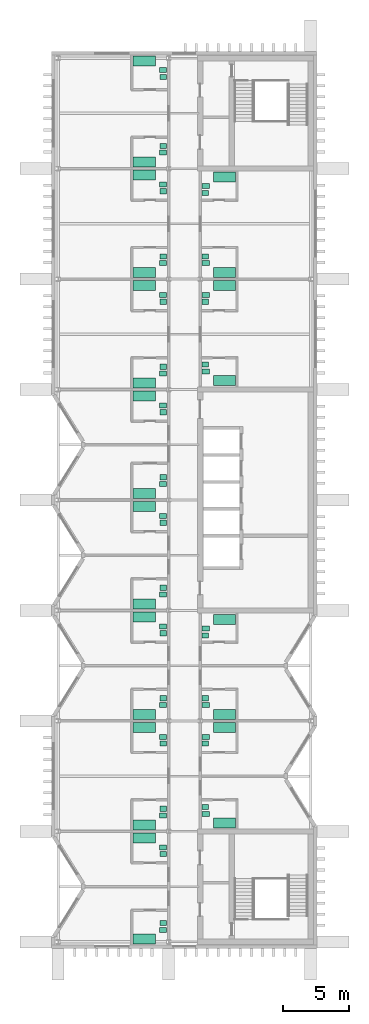
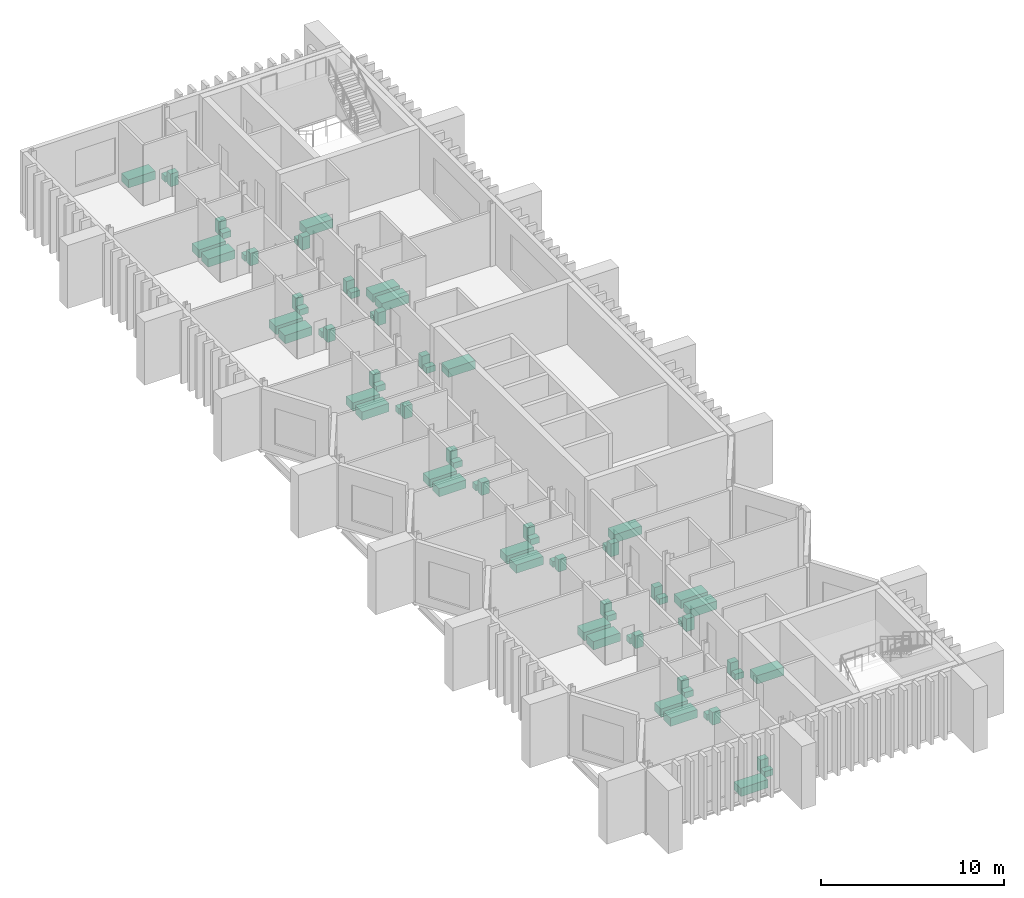
# One storey, part 10 of 10: 72 sanitary terminals.
"""IFC4 building model written with IfcOpenShell, lengths in metres."""

from ifc_helpers import new_model, si_unit, direction, frame, origin, origin_2d, place, context, subcontext, project, spatial, rectangle, extrude, material, type_object, element, save


model = new_model("IFC4")

# Units and contexts
model_context = context("Model", 3, precision=1e-05, world=origin(), true_north=direction((0.0, 1.0)))
body_context = subcontext(model_context, "Body", "Model", "MODEL_VIEW")
ifc_project = project(units=[si_unit("LENGTHUNIT", "METRE"), si_unit("AREAUNIT", "SQUARE_METRE"), si_unit("VOLUMEUNIT", "CUBIC_METRE"), si_unit("PLANEANGLEUNIT", "RADIAN"), si_unit("MASSUNIT", "GRAM", prefix="KILO")], contexts=[model_context])

# Site, building, storey
site_placement = place(None, origin())
site = spatial("IfcSite", under=ifc_project, at=site_placement, CompositionType="ELEMENT")
building_placement = place(site_placement, origin())
building = spatial("IfcBuilding", under=site, at=building_placement, Name="Cresset Court Congress Hotel", CompositionType="ELEMENT")
storey_placement = place(building_placement, frame((0.0, 0.0, 56.39990234375)))
storey = spatial("IfcBuildingStorey", under=building, at=storey_placement, Name="L13", CompositionType="ELEMENT", Elevation=56.39990234375)

# Sanitary terminals
ifc_material_1 = material(Name="Acrylic")
sanitary_terminal_type_1 = type_object("IfcSanitaryTerminalType", Name="Bath 1700x750", PredefinedType="BATH", material=ifc_material_1)
for number, where, z_axis, x_axis, name in (
    (1, (163.75, 0.205078125, 0.0), (0.0, 0.0, 1.0), (1.0, 0.0, 0.0), "Bath 1700x750 1301"),
    (2, (163.75, 7.89990234375, 0.0), (0.0, 0.0, 1.0), (1.0, 0.0, 0.0), "Bath 1700x750 1302"),
    (3, (163.75, 8.89990234375, 0.0), (0.0, 0.0, 1.0), (1.0, 0.0, 0.0), "Bath 1700x750 1303"),
    (4, (163.75, 16.300048828125, 0.0), (0.0, 0.0, 1.0), (1.0, 0.0, 0.0), "Bath 1700x750 1304"),
    (5, (163.75, 17.300048828125, 0.0), (0.0, 0.0, 1.0), (1.0, 0.0, 0.0), "Bath 1700x750 1305"),
    (6, (163.75, 24.699951171875, 0.0), (0.0, 0.0, 1.0), (1.0, 0.0, 0.0), "Bath 1700x750 1306"),
    (7, (163.75, 25.699951171875, 0.0), (0.0, 0.0, 1.0), (1.0, 0.0, 0.0), "Bath 1700x750 1307"),
    (8, (163.75, 33.10009765625, 0.0), (0.0, 0.0, 1.0), (1.0, 0.0, 0.0), "Bath 1700x750 1308"),
    (9, (163.75, 34.10009765625, 0.0), (0.0, 0.0, 1.0), (1.0, 0.0, 0.0), "Bath 1700x750 1309"),
    (10, (163.75, 41.5, 0.0), (0.0, 0.0, 1.0), (1.0, 0.0, 0.0), "Bath 1700x750 1310"),
    (11, (163.75, 42.5, 0.0), (0.0, 0.0, 1.0), (1.0, 0.0, 0.0), "Bath 1700x750 1311"),
    (12, (163.75, 49.89990234375, 0.0), (0.0, 0.0, 1.0), (1.0, 0.0, 0.0), "Bath 1700x750 1312"),
    (13, (163.75, 50.89990234375, 0.0), (0.0, 0.0, 1.0), (1.0, 0.0, 0.0), "Bath 1700x750 1313"),
    (14, (163.75, 58.300048828125, 0.0), (0.0, 0.0, 1.0), (1.0, 0.0, 0.0), "Bath 1700x750 1314"),
    (15, (163.75, 59.300048828125, 0.0), (0.0, 0.0, 1.0), (1.0, 0.0, 0.0), "Bath 1700x750 1315"),
    (16, (163.75, 66.9951171875, 0.0), (0.0, 0.0, 1.0), (1.0, 0.0, 0.0), "Bath 1700x750 1316"),
    (17, (169.85009765625, 9.02490234375, 0.0), (0.0, 0.0, 1.0), (1.0, 0.0, 0.0), "Bath 1700x750 1317"),
    (18, (169.85009765625, 16.300048828125, 0.0), (0.0, 0.0, 1.0), (1.0, 0.0, 0.0), "Bath 1700x750 1318"),
    (19, (169.85009765625, 17.300048828125, 0.0), (0.0, 0.0, 1.0), (1.0, 0.0, 0.0), "Bath 1700x750 1319"),
    (20, (169.85009765625, 24.52490234375, 0.0), (0.0, 0.0, 1.0), (1.0, 0.0, 0.0), "Bath 1700x750 1320"),
    (21, (169.85009765625, 42.675048828125, 0.0), (0.0, 0.0, 1.0), (1.0, 0.0, 0.0), "Bath 1700x750 1321"),
    (22, (169.85009765625, 49.89990234375, 0.0), (0.0, 0.0, 1.0), (1.0, 0.0, 0.0), "Bath 1700x750 1322"),
    (23, (169.85009765625, 50.89990234375, 0.0), (0.0, 0.0, 1.0), (1.0, 0.0, 0.0), "Bath 1700x750 1323"),
    (24, (169.85009765625, 58.175048828125, 0.0), (0.0, 0.0, 1.0), (1.0, 0.0, 0.0), "Bath 1700x750 1324"),
):
    element("IfcSanitaryTerminal", number, at=place(storey_placement, frame(where, z_axis=z_axis, x_axis=x_axis)), inside=storey, type_object=sanitary_terminal_type_1, Name=name, PredefinedType="BATH", context=body_context, shape_type="SweptSolid", body=[
        extrude(rectangle(XDim=1.699951171875, YDim=0.75, at=origin_2d()), origin(), (0.0, 0.0, 1.0), 0.550048828125),
    ])
ifc_material_2 = material(Name="Vitreous china")
sanitary_terminal_type_2 = type_object("IfcSanitaryTerminalType", Name="Toilet pan 550x380", PredefinedType="TOILETPAN", material=ifc_material_2)
for number, where, z_axis, x_axis, name in (
    (25, (165.175048828125, 0.919921875, 0.000244140625), (0.0, 0.0, 1.0), (1.0, 0.0, 0.0), "Toilet pan 550x380 1301"),
    (26, (165.175048828125, 7.18505859375, 0.000244140625), (0.0, 0.0, 1.0), (1.0, 0.0, 0.0), "Toilet pan 550x380 1302"),
    (27, (165.175048828125, 9.614990234375, 0.000244140625), (0.0, 0.0, 1.0), (1.0, 0.0, 0.0), "Toilet pan 550x380 1303"),
    (28, (165.175048828125, 15.5849609375, 0.000244140625), (0.0, 0.0, 1.0), (1.0, 0.0, 0.0), "Toilet pan 550x380 1304"),
    (29, (165.175048828125, 18.014892578125, 0.000244140625), (0.0, 0.0, 1.0), (1.0, 0.0, 0.0), "Toilet pan 550x380 1305"),
    (30, (165.175048828125, 23.985107421875, 0.000244140625), (0.0, 0.0, 1.0), (1.0, 0.0, 0.0), "Toilet pan 550x380 1306"),
    (31, (165.175048828125, 26.4150390625, 0.000244140625), (0.0, 0.0, 1.0), (1.0, 0.0, 0.0), "Toilet pan 550x380 1307"),
    (32, (165.175048828125, 32.385009765625, 0.000244140625), (0.0, 0.0, 1.0), (1.0, 0.0, 0.0), "Toilet pan 550x380 1308"),
    (33, (165.175048828125, 34.81494140625, 0.000244140625), (0.0, 0.0, 1.0), (1.0, 0.0, 0.0), "Toilet pan 550x380 1309"),
    (34, (165.175048828125, 40.784912109375, 0.000244140625), (0.0, 0.0, 1.0), (1.0, 0.0, 0.0), "Toilet pan 550x380 1310"),
    (35, (165.175048828125, 43.215087890625, 0.000244140625), (0.0, 0.0, 1.0), (1.0, 0.0, 0.0), "Toilet pan 550x380 1311"),
    (36, (165.175048828125, 49.18505859375, 0.000244140625), (0.0, 0.0, 1.0), (1.0, 0.0, 0.0), "Toilet pan 550x380 1312"),
    (37, (165.175048828125, 51.614990234375, 0.000244140625), (0.0, 0.0, 1.0), (1.0, 0.0, 0.0), "Toilet pan 550x380 1313"),
    (38, (165.175048828125, 57.5849609375, 0.000244140625), (0.0, 0.0, 1.0), (1.0, 0.0, 0.0), "Toilet pan 550x380 1314"),
    (39, (165.175048828125, 60.014892578125, 0.000244140625), (0.0, 0.0, 1.0), (1.0, 0.0, 0.0), "Toilet pan 550x380 1315"),
    (40, (165.175048828125, 66.280029296875, 0.000244140625), (0.0, 0.0, 1.0), (1.0, 0.0, 0.0), "Toilet pan 550x380 1316"),
    (41, (168.425048828125, 9.739990234375, 0.000244140625), (0.0, 0.0, 1.0), (1.0, 0.0, 0.0), "Toilet pan 550x380 1317"),
    (42, (168.425048828125, 15.5849609375, 0.000244140625), (0.0, 0.0, 1.0), (1.0, 0.0, 0.0), "Toilet pan 550x380 1318"),
    (43, (168.425048828125, 18.014892578125, 0.000244140625), (0.0, 0.0, 1.0), (1.0, 0.0, 0.0), "Toilet pan 550x380 1319"),
    (44, (168.425048828125, 23.81005859375, 0.000244140625), (0.0, 0.0, 1.0), (1.0, 0.0, 0.0), "Toilet pan 550x380 1320"),
    (45, (168.425048828125, 43.389892578125, 0.000244140625), (0.0, 0.0, 1.0), (1.0, 0.0, 0.0), "Toilet pan 550x380 1321"),
    (46, (168.425048828125, 49.18505859375, 0.000244140625), (0.0, 0.0, 1.0), (1.0, 0.0, 0.0), "Toilet pan 550x380 1322"),
    (47, (168.425048828125, 51.614990234375, 0.000244140625), (0.0, 0.0, 1.0), (1.0, 0.0, 0.0), "Toilet pan 550x380 1323"),
    (48, (168.425048828125, 57.4599609375, 0.000244140625), (0.0, 0.0, 1.0), (1.0, 0.0, 0.0), "Toilet pan 550x380 1324"),
):
    element("IfcSanitaryTerminal", number, at=place(storey_placement, frame(where, z_axis=z_axis, x_axis=x_axis)), inside=storey, type_object=sanitary_terminal_type_2, Name=name, PredefinedType="TOILETPAN", context=body_context, shape_type="SweptSolid", body=[
        extrude(rectangle(XDim=0.550048828125, YDim=0.3798828125, at=origin_2d()), origin(), (0.0, 0.0, 1.0), 0.39990234375),
    ])
ifc_material_3 = material(Name="Vitreous china")
sanitary_terminal_type_3 = type_object("IfcSanitaryTerminalType", Name="Wash basin 500x400", PredefinedType="WASHHANDBASIN", material=ifc_material_3)
for number, where, z_axis, x_axis, name in (
    (49, (165.199951171875, 1.429931640625, 0.0), (0.0, 0.0, 1.0), (1.0, 0.0, 0.0), "Wash basin 500x400 1301"),
    (50, (165.199951171875, 6.675048828125, 0.0), (0.0, 0.0, 1.0), (1.0, 0.0, 0.0), "Wash basin 500x400 1302"),
    (51, (165.199951171875, 10.125, 0.0), (0.0, 0.0, 1.0), (1.0, 0.0, 0.0), "Wash basin 500x400 1303"),
    (52, (165.199951171875, 15.074951171875, 0.0), (0.0, 0.0, 1.0), (1.0, 0.0, 0.0), "Wash basin 500x400 1304"),
    (53, (165.199951171875, 18.52490234375, 0.0), (0.0, 0.0, 1.0), (1.0, 0.0, 0.0), "Wash basin 500x400 1305"),
    (54, (165.199951171875, 23.47509765625, 0.0), (0.0, 0.0, 1.0), (1.0, 0.0, 0.0), "Wash basin 500x400 1306"),
    (55, (165.199951171875, 26.925048828125, 0.0), (0.0, 0.0, 1.0), (1.0, 0.0, 0.0), "Wash basin 500x400 1307"),
    (56, (165.199951171875, 31.875, 0.0), (0.0, 0.0, 1.0), (1.0, 0.0, 0.0), "Wash basin 500x400 1308"),
    (57, (165.199951171875, 35.324951171875, 0.0), (0.0, 0.0, 1.0), (1.0, 0.0, 0.0), "Wash basin 500x400 1309"),
    (58, (165.199951171875, 40.27490234375, 0.0), (0.0, 0.0, 1.0), (1.0, 0.0, 0.0), "Wash basin 500x400 1310"),
    (59, (165.199951171875, 43.72509765625, 0.0), (0.0, 0.0, 1.0), (1.0, 0.0, 0.0), "Wash basin 500x400 1311"),
    (60, (165.199951171875, 48.675048828125, 0.0), (0.0, 0.0, 1.0), (1.0, 0.0, 0.0), "Wash basin 500x400 1312"),
    (61, (165.199951171875, 52.125, 0.0), (0.0, 0.0, 1.0), (1.0, 0.0, 0.0), "Wash basin 500x400 1313"),
    (62, (165.199951171875, 57.074951171875, 0.0), (0.0, 0.0, 1.0), (1.0, 0.0, 0.0), "Wash basin 500x400 1314"),
    (63, (165.199951171875, 60.52490234375, 0.0), (0.0, 0.0, 1.0), (1.0, 0.0, 0.0), "Wash basin 500x400 1315"),
    (64, (165.199951171875, 65.77001953125, 0.0), (0.0, 0.0, 1.0), (1.0, 0.0, 0.0), "Wash basin 500x400 1316"),
    (65, (168.39990234375, 10.25, 0.0), (0.0, 0.0, 1.0), (1.0, 0.0, 0.0), "Wash basin 500x400 1317"),
    (66, (168.39990234375, 15.074951171875, 0.0), (0.0, 0.0, 1.0), (1.0, 0.0, 0.0), "Wash basin 500x400 1318"),
    (67, (168.39990234375, 18.52490234375, 0.0), (0.0, 0.0, 1.0), (1.0, 0.0, 0.0), "Wash basin 500x400 1319"),
    (68, (168.39990234375, 23.300048828125, 0.0), (0.0, 0.0, 1.0), (1.0, 0.0, 0.0), "Wash basin 500x400 1320"),
    (69, (168.39990234375, 43.89990234375, 0.0), (0.0, 0.0, 1.0), (1.0, 0.0, 0.0), "Wash basin 500x400 1321"),
    (70, (168.39990234375, 48.675048828125, 0.0), (0.0, 0.0, 1.0), (1.0, 0.0, 0.0), "Wash basin 500x400 1322"),
    (71, (168.39990234375, 52.125, 0.0), (0.0, 0.0, 1.0), (1.0, 0.0, 0.0), "Wash basin 500x400 1323"),
    (72, (168.39990234375, 56.949951171875, 0.0), (0.0, 0.0, 1.0), (1.0, 0.0, 0.0), "Wash basin 500x400 1324"),
):
    element("IfcSanitaryTerminal", number, at=place(storey_placement, frame(where, z_axis=z_axis, x_axis=x_axis)), inside=storey, type_object=sanitary_terminal_type_3, Name=name, PredefinedType="WASHHANDBASIN", context=body_context, shape_type="SweptSolid", body=[
        extrude(rectangle(XDim=0.5, YDim=0.39990234375, at=origin_2d()), origin(), (0.0, 0.0, 1.0), 0.85009765625),
    ])

save(model, "model.ifc")
